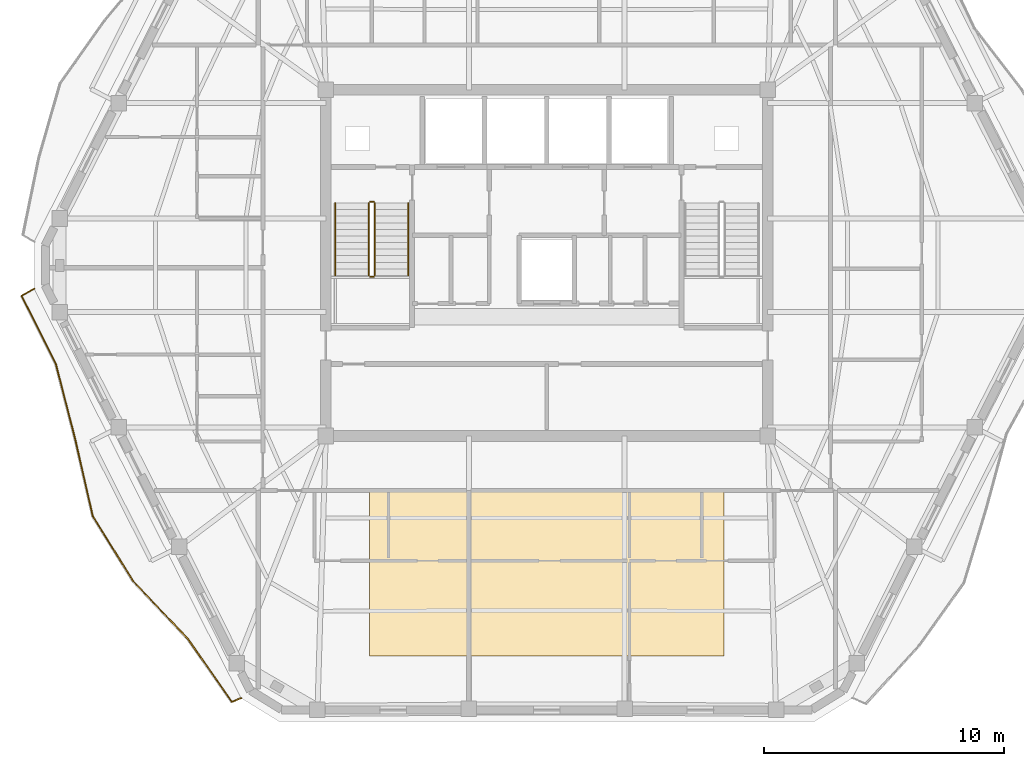
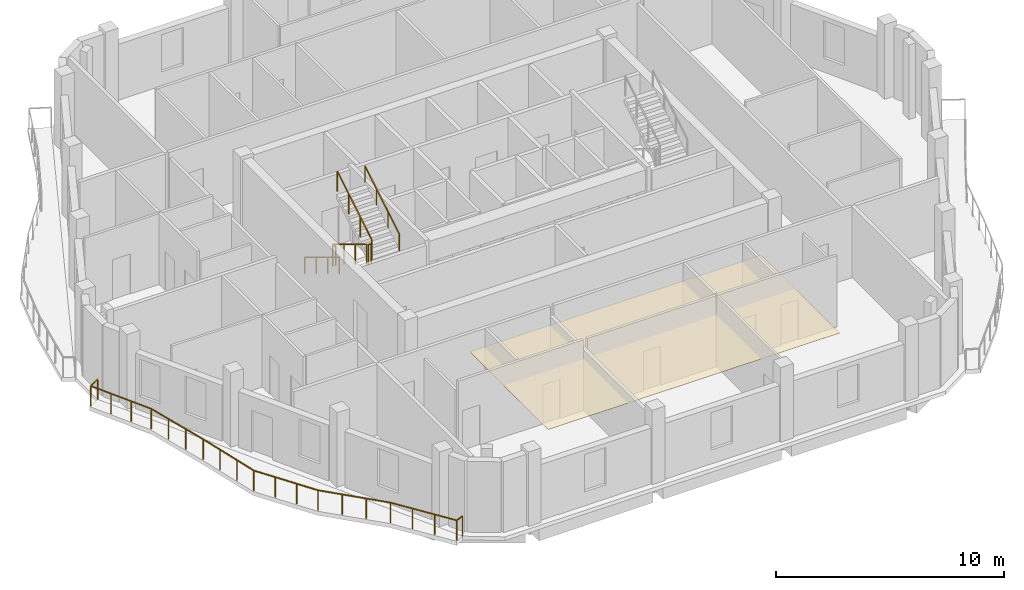
# One storey, part 9 of 11: 7 railings, 1 covering.
"""IFC4 building model written with IfcOpenShell, lengths in metres."""

from ifc_helpers import new_model, si_unit, direction, frame, origin, origin_2d, place, context, subcontext, project, spatial, polyline, rectangle, outline, extrude, material, layer, layer_set, type_object, element, save


model = new_model("IFC4")

# Units and contexts
model_context = context("Model", 3, precision=1e-05, world=origin(), true_north=direction((0.0, 1.0)))
body_context = subcontext(model_context, "Body", "Model", "MODEL_VIEW")
ifc_project = project(units=[si_unit("LENGTHUNIT", "METRE"), si_unit("AREAUNIT", "SQUARE_METRE"), si_unit("VOLUMEUNIT", "CUBIC_METRE"), si_unit("PLANEANGLEUNIT", "RADIAN"), si_unit("MASSUNIT", "GRAM", prefix="KILO")], contexts=[model_context])

# Site, building, storey
site_placement = place(None, origin())
site = spatial("IfcSite", under=ifc_project, at=site_placement, CompositionType="ELEMENT")
building_placement = place(site_placement, origin())
building = spatial("IfcBuilding", under=site, at=building_placement, Name="Cinnabar Lancet Tower", CompositionType="ELEMENT")
storey_placement = place(building_placement, frame((0.0, 0.0, 283.5)))
storey = spatial("IfcBuildingStorey", under=building, at=storey_placement, Name="L75", CompositionType="ELEMENT", Elevation=283.5)

# Covering
ifc_material_1 = material(Name="Acoustic perforated gypsum ceiling board", Category="finish")
ifc_layer = layer(ifc_material_1, 0.01806640625)
ifc_layer_set = layer_set([ifc_layer], Name="Acoustic perforated gypsum ceiling board")
covering_type = type_object("IfcCoveringType", Name="ARC-COV-CEIL-GYP", PredefinedType="CEILING", material=ifc_layer_set)
covering_placement = place(storey_placement, frame((0.0, 0.0, 2.75)))
element("IfcCovering", 1, at=covering_placement, inside=storey, type_object=covering_type, Name="L75 Suspended Acoustic Ceiling", PredefinedType="CEILING", context=body_context, shape_type="SweptSolid", body=[
    extrude(outline(polyline([(25.0, 9.5), (39.800048828125, 9.5), (39.800048828125, 16.39990234375), (25.0, 16.39990234375), (25.0, 9.5)])), origin(), (0.0, 0.0, 1.0), 0.01806640625),
])

# Railings
ifc_material_2 = material(Name="Laminated safety glass and bronze stainless steel balustrade", Category="steel")
railing_type_1 = type_object("IfcRailingType", Name="ENV-RLG-BAL-1100", PredefinedType="BALUSTRADE", material=ifc_material_2)
railing_1_placement = place(storey_placement, frame((10.9970703125, 24.818115234375, 0.0)))
element("IfcRailing", 2, at=railing_1_placement, inside=storey, type_object=railing_type_1, Name="L75 Face 6 Wave Balcony Balustrade", PredefinedType="BALUSTRADE", context=body_context, shape_type="SweptSolid", body=[
    extrude(rectangle(XDim=0.048095703125, YDim=0.048095703125, at=origin_2d()), frame((0.0, 0.0, 1.076171875), z_axis=(-0.870186927936, -0.492721737341, 0.0), x_axis=(0.492721737341, -0.870186927936, 0.0)), (0.0, 0.0, 1.0), 0.593017578125),
    extrude(rectangle(XDim=0.048095703125, YDim=0.048095703125, at=origin_2d()), frame((-0.51611328125, -0.292236328125, 1.076171875), z_axis=(0.448471481808, -0.893797141417, 0.0), x_axis=(0.893797141417, 0.448471481808, 0.0)), (0.0, 0.0, 1.0), 3.181884765625),
    extrude(rectangle(XDim=0.048095703125, YDim=0.048095703125, at=origin_2d()), frame((0.910888671875, -3.13623046875, 1.076171875), z_axis=(0.248703551131, -0.968579652716, 0.0), x_axis=(0.968579652716, 0.248703551131, 0.0)), (0.0, 0.0, 1.0), 3.257080078125),
    extrude(rectangle(XDim=0.048095703125, YDim=0.048095703125, at=origin_2d()), frame((1.720947265625, -6.291015625, 1.076171875), z_axis=(0.222448542423, -0.974944432249, 0.0), x_axis=(0.974944432249, 0.222448542423, 0.0)), (0.0, 0.0, 1.0), 3.277099609375),
    extrude(rectangle(XDim=0.048095703125, YDim=0.048095703125, at=origin_2d()), frame((2.449951171875, -9.486083984375, 1.076171875), z_axis=(0.527461779878, -0.84957876078, 0.0), x_axis=(0.84957876078, 0.527461779878, 0.0)), (0.0, 0.0, 1.0), 3.194580078125),
    extrude(rectangle(XDim=0.048095703125, YDim=0.048095703125, at=origin_2d()), frame((4.135009765625, -12.2001953125, 1.076171875), z_axis=(0.687726288095, -0.725970076975, 0.0), x_axis=(0.725970076975, 0.687726288095, 0.0)), (0.0, 0.0, 1.0), 3.319580078125),
    extrude(rectangle(XDim=0.048095703125, YDim=0.048095703125, at=origin_2d()), frame((6.41796875, -14.610107421875, 1.076171875), z_axis=(0.573232866575, -0.819392507092, 0.0), x_axis=(0.819392507092, 0.573232866575, 0.0)), (0.0, 0.0, 1.0), 3.21337890625),
    extrude(rectangle(XDim=0.048095703125, YDim=0.048095703125, at=origin_2d()), frame((8.260009765625, -17.2431640625, 1.076171875), z_axis=(0.924886160743, 0.380244118515, 0.0), x_axis=(-0.380244118515, 0.924886160743, 0.0)), (0.0, 0.0, 1.0), 0.412841796875),
    extrude(rectangle(XDim=0.0419921875, YDim=0.0419921875, at=origin_2d()), origin(), (0.0, 0.0, 1.0), 1.052001953125),
    extrude(rectangle(XDim=0.0419921875, YDim=0.0419921875, at=origin_2d()), frame((-0.51611328125, -0.292236328125, 0.0)), (0.0, 0.0, 1.0), 1.052001953125),
    extrude(rectangle(XDim=0.0419921875, YDim=0.0419921875, at=origin_2d()), frame((-0.04052734375, -1.240234375, 0.0)), (0.0, 0.0, 1.0), 1.052001953125),
    extrude(rectangle(XDim=0.0419921875, YDim=0.0419921875, at=origin_2d()), frame((0.435302734375, -2.188232421875, 0.0)), (0.0, 0.0, 1.0), 1.052001953125),
    extrude(rectangle(XDim=0.0419921875, YDim=0.0419921875, at=origin_2d()), frame((0.910888671875, -3.13623046875, 0.0)), (0.0, 0.0, 1.0), 1.052001953125),
    extrude(rectangle(XDim=0.0419921875, YDim=0.0419921875, at=origin_2d()), frame((1.180908203125, -4.187744140625, 0.0)), (0.0, 0.0, 1.0), 1.052001953125),
    extrude(rectangle(XDim=0.0419921875, YDim=0.0419921875, at=origin_2d()), frame((1.450927734375, -5.239501953125, 0.0)), (0.0, 0.0, 1.0), 1.052001953125),
    extrude(rectangle(XDim=0.0419921875, YDim=0.0419921875, at=origin_2d()), frame((1.720947265625, -6.291015625, 0.0)), (0.0, 0.0, 1.0), 1.052001953125),
    extrude(rectangle(XDim=0.0419921875, YDim=0.0419921875, at=origin_2d()), frame((1.9638671875, -7.35595703125, 0.0)), (0.0, 0.0, 1.0), 1.052001953125),
    extrude(rectangle(XDim=0.0419921875, YDim=0.0419921875, at=origin_2d()), frame((2.20703125, -8.421142578125, 0.0)), (0.0, 0.0, 1.0), 1.052001953125),
    extrude(rectangle(XDim=0.0419921875, YDim=0.0419921875, at=origin_2d()), frame((2.449951171875, -9.486083984375, 0.0)), (0.0, 0.0, 1.0), 1.052001953125),
    extrude(rectangle(XDim=0.0419921875, YDim=0.0419921875, at=origin_2d()), frame((3.01171875, -10.390869140625, 0.0)), (0.0, 0.0, 1.0), 1.052001953125),
    extrude(rectangle(XDim=0.0419921875, YDim=0.0419921875, at=origin_2d()), frame((3.5732421875, -11.29541015625, 0.0)), (0.0, 0.0, 1.0), 1.052001953125),
    extrude(rectangle(XDim=0.0419921875, YDim=0.0419921875, at=origin_2d()), frame((4.135009765625, -12.2001953125, 0.0)), (0.0, 0.0, 1.0), 1.052001953125),
    extrude(rectangle(XDim=0.0419921875, YDim=0.0419921875, at=origin_2d()), frame((4.89599609375, -13.00341796875, 0.0)), (0.0, 0.0, 1.0), 1.052001953125),
    extrude(rectangle(XDim=0.0419921875, YDim=0.0419921875, at=origin_2d()), frame((5.656982421875, -13.806884765625, 0.0)), (0.0, 0.0, 1.0), 1.052001953125),
    extrude(rectangle(XDim=0.0419921875, YDim=0.0419921875, at=origin_2d()), frame((6.41796875, -14.610107421875, 0.0)), (0.0, 0.0, 1.0), 1.052001953125),
    extrude(rectangle(XDim=0.0419921875, YDim=0.0419921875, at=origin_2d()), frame((7.031982421875, -15.48779296875, 0.0)), (0.0, 0.0, 1.0), 1.052001953125),
    extrude(rectangle(XDim=0.0419921875, YDim=0.0419921875, at=origin_2d()), frame((7.64599609375, -16.365478515625, 0.0)), (0.0, 0.0, 1.0), 1.052001953125),
    extrude(rectangle(XDim=0.0419921875, YDim=0.0419921875, at=origin_2d()), frame((8.260009765625, -17.2431640625, 0.0)), (0.0, 0.0, 1.0), 1.052001953125),
    extrude(rectangle(XDim=0.0419921875, YDim=0.0419921875, at=origin_2d()), frame((8.641845703125, -17.086181640625, 0.0)), (0.0, 0.0, 1.0), 1.052001953125),
])
ifc_material_3 = material(Name="Painted galvanized steel balustrade", Category="steel")
railing_type_2 = type_object("IfcRailingType", Name="GUARD-STAIR", PredefinedType="GUARDRAIL", material=ifc_material_3)
railing_2_placement = place(storey_placement, frame((24.97509765625, 28.39990234375, 0.166748046875)))
element("IfcRailing", 3, at=railing_2_placement, inside=storey, type_object=railing_type_2, Name="L75 ST-1 stair guard 1", PredefinedType="GUARDRAIL", context=body_context, shape_type="SweptSolid", body=[
    extrude(rectangle(XDim=0.048095703125, YDim=0.048095703125, at=origin_2d()), frame((0.0, 0.0, 1.076171875), z_axis=(0.0, -0.855200612876, 0.518297126884), x_axis=(1.0, 0.0, 0.0)), (0.0, 0.0, 1.0), 3.537109375),
    extrude(rectangle(XDim=0.0419921875, YDim=0.0419921875, at=origin_2d()), origin(), (0.0, 0.0, 1.0), 1.052001953125),
    extrude(rectangle(XDim=0.0419921875, YDim=0.0419921875, at=origin_2d()), frame((0.0, -1.00830078125, 0.611083984375)), (0.0, 0.0, 1.0), 1.052001953125),
    extrude(rectangle(XDim=0.0419921875, YDim=0.0419921875, at=origin_2d()), frame((0.0, -2.0166015625, 1.22216796875)), (0.0, 0.0, 1.0), 1.052001953125),
    extrude(rectangle(XDim=0.0419921875, YDim=0.0419921875, at=origin_2d()), frame((0.0, -3.02490234375, 1.833251953125)), (0.0, 0.0, 1.0), 1.052001953125),
])
railing_3_placement = place(storey_placement, frame((25.02490234375, 25.324951171875, 2.0)))
element("IfcRailing", 4, at=railing_3_placement, inside=storey, type_object=railing_type_2, Name="L75 ST-1 stair guard 2", PredefinedType="GUARDRAIL", context=body_context, shape_type="SweptSolid", body=[
    extrude(rectangle(XDim=0.048095703125, YDim=0.048095703125, at=origin_2d()), frame((0.0, 0.0, 1.076171875), z_axis=(1.0, 0.0, 0.0), x_axis=(0.0, 1.0, 0.0)), (0.0, 0.0, 1.0), 0.150146484375),
    extrude(rectangle(XDim=0.0419921875, YDim=0.0419921875, at=origin_2d()), origin(), (0.0, 0.0, 1.0), 1.052001953125),
    extrude(rectangle(XDim=0.0419921875, YDim=0.0419921875, at=origin_2d()), frame((0.150146484375, 0.0, 0.0)), (0.0, 0.0, 1.0), 1.052001953125),
])
railing_4_placement = place(storey_placement, frame((25.22509765625, 25.375, 2.166748046875)))
element("IfcRailing", 5, at=railing_4_placement, inside=storey, type_object=railing_type_2, Name="L75 ST-1 stair guard 3", PredefinedType="GUARDRAIL", context=body_context, shape_type="SweptSolid", body=[
    extrude(rectangle(XDim=0.048095703125, YDim=0.048095703125, at=origin_2d()), frame((0.0, 0.0, 1.076171875), z_axis=(0.0, 0.855200612876, 0.518297126884), x_axis=(-1.0, 0.0, 0.0)), (0.0, 0.0, 1.0), 3.537109375),
    extrude(rectangle(XDim=0.0419921875, YDim=0.0419921875, at=origin_2d()), origin(), (0.0, 0.0, 1.0), 1.052001953125),
    extrude(rectangle(XDim=0.0419921875, YDim=0.0419921875, at=origin_2d()), frame((0.0, 1.00830078125, 0.611083984375)), (0.0, 0.0, 1.0), 1.052001953125),
    extrude(rectangle(XDim=0.0419921875, YDim=0.0419921875, at=origin_2d()), frame((0.0, 2.0166015625, 1.22216796875)), (0.0, 0.0, 1.0), 1.052001953125),
    extrude(rectangle(XDim=0.0419921875, YDim=0.0419921875, at=origin_2d()), frame((0.0, 3.02490234375, 1.833251953125)), (0.0, 0.0, 1.0), 1.052001953125),
])
railing_5_placement = place(storey_placement, frame((25.02490234375, 28.449951171875, 0.0)))
element("IfcRailing", 6, at=railing_5_placement, inside=storey, type_object=railing_type_2, Name="L75 ST-1 stair guard 4", PredefinedType="GUARDRAIL", context=body_context, shape_type="SweptSolid", body=[
    extrude(rectangle(XDim=0.048095703125, YDim=0.048095703125, at=origin_2d()), frame((0.0, 0.0, 1.076171875), z_axis=(1.0, 0.0, 0.0), x_axis=(0.0, 1.0, 0.0)), (0.0, 0.0, 1.0), 0.150146484375),
    extrude(rectangle(XDim=0.0419921875, YDim=0.0419921875, at=origin_2d()), origin(), (0.0, 0.0, 1.0), 1.052001953125),
    extrude(rectangle(XDim=0.0419921875, YDim=0.0419921875, at=origin_2d()), frame((0.150146484375, 0.0, 0.0)), (0.0, 0.0, 1.0), 1.052001953125),
])
ifc_material_4 = material(Name="Brushed stainless steel handrail", Category="steel")
railing_type_3 = type_object("IfcRailingType", Name="HANDRAIL-STAIR", PredefinedType="HANDRAIL", material=ifc_material_4)
railing_6_placement = place(storey_placement, frame((23.574951171875, 28.39990234375, 0.166748046875)))
element("IfcRailing", 7, at=railing_6_placement, inside=storey, type_object=railing_type_3, Name="L75 ST-1 stair handrail 1", PredefinedType="HANDRAIL", context=body_context, shape_type="SweptSolid", body=[
    extrude(rectangle(XDim=0.048095703125, YDim=0.048095703125, at=origin_2d()), frame((0.0, 0.0, 0.8759765625), z_axis=(0.0, -0.855200612876, 0.518297126884), x_axis=(1.0, 0.0, 0.0)), (0.0, 0.0, 1.0), 3.537109375),
    extrude(rectangle(XDim=0.0419921875, YDim=0.0419921875, at=origin_2d()), origin(), (0.0, 0.0, 1.0), 0.851806640625),
    extrude(rectangle(XDim=0.0419921875, YDim=0.0419921875, at=origin_2d()), frame((0.0, -1.00830078125, 0.611083984375)), (0.0, 0.0, 1.0), 0.851806640625),
    extrude(rectangle(XDim=0.0419921875, YDim=0.0419921875, at=origin_2d()), frame((0.0, -2.0166015625, 1.22216796875)), (0.0, 0.0, 1.0), 0.851806640625),
    extrude(rectangle(XDim=0.0419921875, YDim=0.0419921875, at=origin_2d()), frame((0.0, -3.02490234375, 1.833251953125)), (0.0, 0.0, 1.0), 0.851806640625),
])
railing_7_placement = place(storey_placement, frame((26.625, 25.375, 2.166748046875)))
element("IfcRailing", 8, at=railing_7_placement, inside=storey, type_object=railing_type_3, Name="L75 ST-1 stair handrail 2", PredefinedType="HANDRAIL", context=body_context, shape_type="SweptSolid", body=[
    extrude(rectangle(XDim=0.048095703125, YDim=0.048095703125, at=origin_2d()), frame((0.0, 0.0, 0.8759765625), z_axis=(0.0, 0.855200612876, 0.518297126884), x_axis=(-1.0, 0.0, 0.0)), (0.0, 0.0, 1.0), 3.537109375),
    extrude(rectangle(XDim=0.0419921875, YDim=0.0419921875, at=origin_2d()), origin(), (0.0, 0.0, 1.0), 0.851806640625),
    extrude(rectangle(XDim=0.0419921875, YDim=0.0419921875, at=origin_2d()), frame((0.0, 1.00830078125, 0.611083984375)), (0.0, 0.0, 1.0), 0.851806640625),
    extrude(rectangle(XDim=0.0419921875, YDim=0.0419921875, at=origin_2d()), frame((0.0, 2.0166015625, 1.22216796875)), (0.0, 0.0, 1.0), 0.851806640625),
    extrude(rectangle(XDim=0.0419921875, YDim=0.0419921875, at=origin_2d()), frame((0.0, 3.02490234375, 1.833251953125)), (0.0, 0.0, 1.0), 0.851806640625),
])

save(model, "model.ifc")
